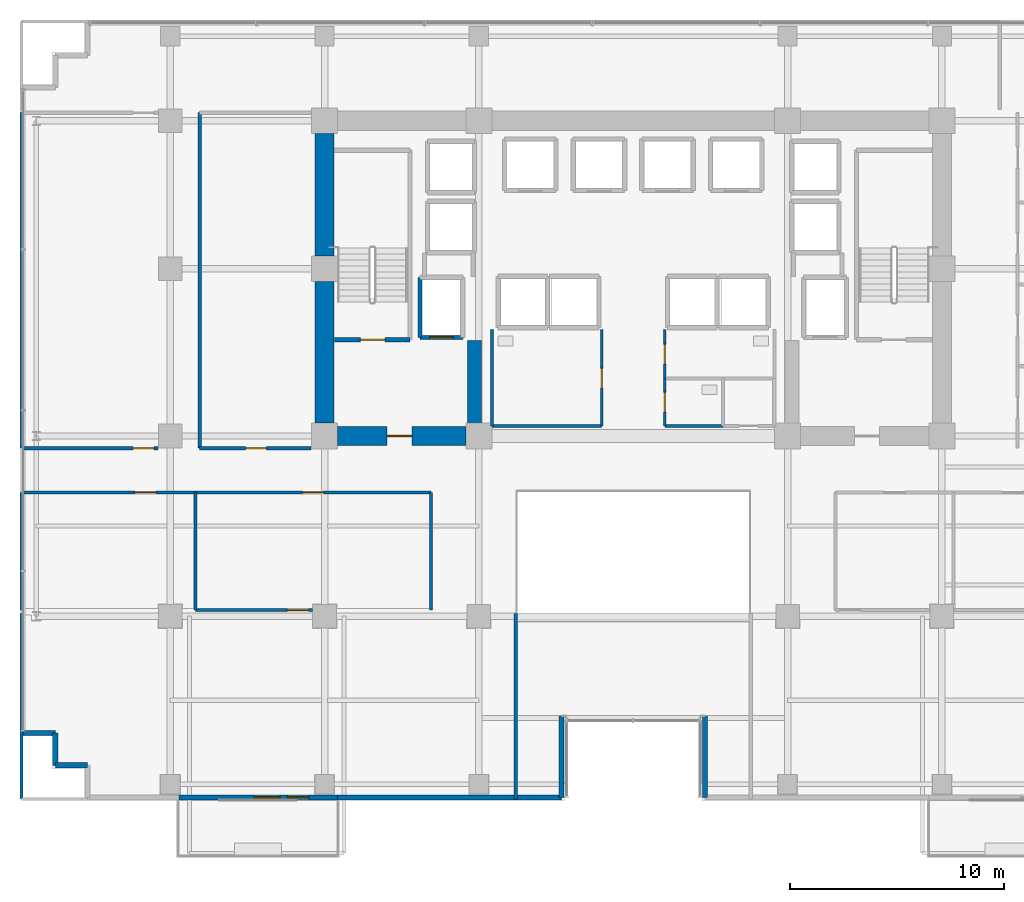
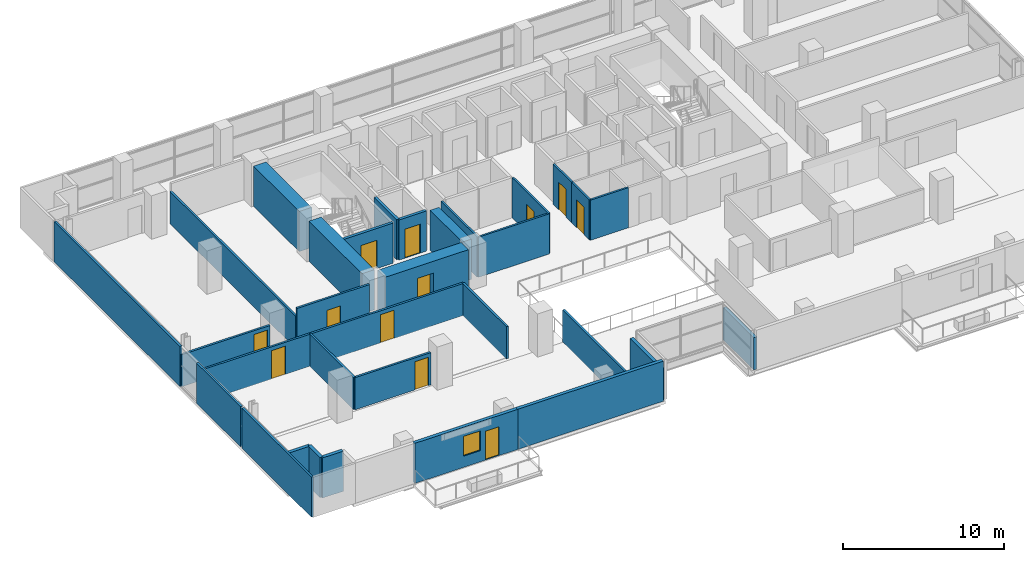
# One storey, part 19 of 27: 32 walls, 12 doors, 1 window, 13 openings.
"""IFC4 building model written with IfcOpenShell, lengths in metres."""

from ifc_helpers import new_model, si_unit, direction, frame, frame_2d, origin, place, context, subcontext, project, spatial, rectangle, extrude, source, transform, mapped, material, layer, layer_set, type_object, element, fill, save


model = new_model("IFC4")

# Units and contexts
model_context = context("Model", 3, precision=1e-05, world=origin(), true_north=direction((0.0, 1.0)))
body_context = subcontext(model_context, "Body", "Model", "MODEL_VIEW")
ifc_project = project(units=[si_unit("LENGTHUNIT", "METRE"), si_unit("AREAUNIT", "SQUARE_METRE"), si_unit("VOLUMEUNIT", "CUBIC_METRE"), si_unit("PLANEANGLEUNIT", "RADIAN"), si_unit("MASSUNIT", "GRAM", prefix="KILO")], contexts=[model_context])

# Site, building, storey
site_placement = place(None, origin())
site = spatial("IfcSite", under=ifc_project, at=site_placement, CompositionType="ELEMENT")
building_placement = place(site_placement, origin())
building = spatial("IfcBuilding", under=site, at=building_placement, Name="Zarnakvel Exchange Tower", CompositionType="ELEMENT")
storey_placement = place(building_placement, frame((0.0, 0.0, 76.89990234375)))
storey = spatial("IfcBuildingStorey", under=building, at=storey_placement, Name="L21", CompositionType="ELEMENT", Elevation=76.89990234375)

# Walls
ifc_material_1 = material(Name="Concrete C80/95", Category="concrete")
ifc_layer_1 = layer(ifc_material_1, 0.89990234375)
ifc_layer_set_1 = layer_set([ifc_layer_1], Name="Concrete C80/95")
wall_type_1 = type_object("IfcWallType", Name="CW-C1", PredefinedType="SHEAR", material=ifc_layer_set_1)
wall_1_placement = place(storey_placement, frame((-14.39990234375, -0.60009765625, 0.0), z_axis=(0.0, 0.0, 1.0), x_axis=(0.0, 1.0, 0.0)))
element("IfcWall", 1, at=wall_1_placement, inside=storey, type_object=wall_type_1, Name="L21 Rear Core Shear Wall W1 (CW-C1)", PredefinedType="SHEAR", context=body_context, shape_type="SweptSolid", body=[
    extrude(rectangle(XDim=6.60009765625, YDim=0.89990234375, at=frame_2d((3.300048828125, 0.0))), origin(), (0.0, 0.0, 1.0), 3.050048828125),
])
wall_2_placement = place(storey_placement, frame((-14.39990234375, 7.199951171875, 0.0), z_axis=(0.0, 0.0, 1.0), x_axis=(0.0, 1.0, 0.0)))
element("IfcWall", 2, at=wall_2_placement, inside=storey, type_object=wall_type_1, Name="L21 Rear Core Shear Wall W2 (CW-C1)", PredefinedType="SHEAR", context=body_context, shape_type="SweptSolid", body=[
    extrude(rectangle(XDim=5.699951171875, YDim=0.89990234375, at=frame_2d((2.85009765625, 0.0))), origin(), (0.0, 0.0, 1.0), 3.050048828125),
])

# Wall, opening, door
wall_3_placement = place(storey_placement, frame((-7.800048828125, -1.199951171875, 0.0), z_axis=(0.0, 0.0, 1.0), x_axis=(-1.0, 0.0, 0.0)))
wall_3 = element("IfcWall", 3, at=wall_3_placement, inside=storey, type_object=wall_type_1, Name="L21 Rear Core Shear Wall SW (CW-C1)", PredefinedType="SHEAR", context=body_context, shape_type="SweptSolid", body=[
    extrude(rectangle(XDim=6.0, YDim=0.89990234375, at=frame_2d((3.0, 0.0))), origin(), (0.0, 0.0, 1.0), 3.050048828125),
])
opening_1_placement = place(wall_3_placement, frame((2.52490234375, 0.0, 0.0)))
opening_1 = element("IfcOpeningElement", 4, at=opening_1_placement, cuts=wall_3, Name="Opening D-L21-03", PredefinedType="OPENING", context=body_context, shape_type="SweptSolid", body=[
    extrude(rectangle(XDim=1.14990234375, YDim=2.14990234375, at=frame_2d((0.574951171875, 1.074951171875))), frame((0.0, 0.4599609375, 0.0), z_axis=(0.0, -1.0, 0.0), x_axis=(1.0, 0.0, 0.0)), (0.0, 0.0, 1.0), 0.919921875),
])
ifc_material_2 = material(Name="Painted Galvanised Steel S355", Category="steel")
door_type_1 = type_object("IfcDoorType", Name="DT-04", OperationType="NOTDEFINED", PredefinedType="DOOR", material=ifc_material_2)
shared_shape_1 = source(origin(), body_context, "Body", "SweptSolid", [
    extrude(rectangle(XDim=1.14990234375, YDim=2.14990234375, at=frame_2d((0.574951171875, 1.074951171875))), frame((0.0, 0.02490234375, 0.0), z_axis=(0.0, -1.0, 0.0), x_axis=(1.0, 0.0, 0.0)), (0.0, 0.0, 1.0), 0.050048828125),
])
door_1_placement = place(opening_1_placement, origin())
door_1 = element("IfcDoor", 5, at=door_1_placement, inside=storey, type_object=door_type_1, Name="L21 Firefighting Lobby West Door D-L21-03", OperationType="SINGLE_SWING_RIGHT", OverallHeight=2.14990234375, OverallWidth=1.14990234375, PredefinedType="DOOR", context=body_context, shape_type="MappedRepresentation", body=[
    mapped(shared_shape_1, transform((0.0, 0.0, 0.0), x_axis=(1.0, 0.0, 0.0), y_axis=(0.0, 1.0, 0.0), z_axis=(0.0, 0.0, 1.0), scale=1.0)),
])
fill(opening_1, door_1)

# Wall
ifc_layer_2 = layer(ifc_material_1, 0.64990234375)
ifc_layer_set_2 = layer_set([ifc_layer_2], Name="Concrete C80/95")
wall_type_2 = type_object("IfcWallType", Name="CW-C2", PredefinedType="SHEAR", material=ifc_layer_set_2)
wall_4_placement = place(storey_placement, frame((-7.39990234375, -0.75, 0.0), z_axis=(0.0, 0.0, 1.0), x_axis=(0.0, 1.0, 0.0)))
element("IfcWall", 6, at=wall_4_placement, inside=storey, type_object=wall_type_2, Name="L21 Rear Core Shear Wall IW (CW-C2)", PredefinedType="SHEAR", context=body_context, shape_type="SweptSolid", body=[
    extrude(rectangle(XDim=4.0, YDim=0.64990234375, at=frame_2d((2.0, 0.0))), origin(), (0.0, 0.0, 1.0), 3.050048828125),
])

# Wall, openings, door, window
ifc_material_3 = material(Name="Precast concrete C40/50", Category="concrete")
ifc_layer_3 = layer(ifc_material_3, 0.239990234375)
ifc_layer_set_3 = layer_set([ifc_layer_3], Name="Precast concrete C40/50")
wall_type_3 = type_object("IfcWallType", Name="EW-02", PredefinedType="SOLIDWALL", material=ifc_layer_set_3)
wall_5_placement = place(storey_placement, frame((-13.800048828125, -18.06005859375, 0.0), z_axis=(0.0, 0.0, 1.0), x_axis=(-1.0, 0.0, 0.0)))
wall_5 = element("IfcWall", 7, at=wall_5_placement, inside=storey, type_object=wall_type_3, Name="L21 Exterior Precast Spandrel Wall EW-BAL-L21-SW (EW-02)", PredefinedType="SOLIDWALL", context=body_context, shape_type="SweptSolid", body=[
    extrude(rectangle(XDim=7.39990234375, YDim=0.239990234375, at=frame_2d((3.699951171875, 0.0))), origin(), (0.0, 0.0, 1.0), 3.050048828125),
])
opening_2_placement = place(wall_5_placement, frame((1.33203125, 0.0, 0.0)))
opening_2 = element("IfcOpeningElement", 8, at=opening_2_placement, cuts=wall_5, Name="Opening BD-L21-01", PredefinedType="OPENING", context=body_context, shape_type="SweptSolid", body=[
    extrude(rectangle(XDim=1.0, YDim=2.199951171875, at=frame_2d((0.5, 1.10009765625))), frame((0.0, 0.1298828125, 0.0), z_axis=(0.0, -1.0, 0.0), x_axis=(1.0, 0.0, 0.0)), (0.0, 0.0, 1.0), 0.260009765625),
])
opening_3_placement = place(wall_5_placement, frame((2.681884765625, 0.0, 0.85009765625)))
opening_3 = element("IfcOpeningElement", 9, at=opening_3_placement, cuts=wall_5, Name="Opening WN-04", PredefinedType="OPENING", context=body_context, shape_type="SweptSolid", body=[
    extrude(rectangle(XDim=1.199951171875, YDim=1.5, at=frame_2d((0.60009765625, 0.75))), frame((0.0, 0.1298828125, 0.0), z_axis=(0.0, -1.0, 0.0), x_axis=(1.0, 0.0, 0.0)), (0.0, 0.0, 1.0), 0.260009765625),
])
ifc_material_4 = material(Name="Architectural Bronze Anodised Aluminium", Category="aluminium")
door_type_2 = type_object("IfcDoorType", Name="DT-09", OperationType="NOTDEFINED", PredefinedType="DOOR", material=ifc_material_4)
shared_shape_2 = source(origin(), body_context, "Body", "SweptSolid", [
    extrude(rectangle(XDim=1.0, YDim=2.199951171875, at=frame_2d((0.5, 1.10009765625))), frame((0.0, 0.02490234375, 0.0), z_axis=(0.0, -1.0, 0.0), x_axis=(1.0, 0.0, 0.0)), (0.0, 0.0, 1.0), 0.050048828125),
])
door_2_placement = place(opening_2_placement, origin())
door_2 = element("IfcDoor", 10, at=door_2_placement, inside=storey, type_object=door_type_2, Name="L21 Planted Loggia Balcony Door BD-L21-01", OperationType="SINGLE_SWING_LEFT", OverallHeight=2.199951171875, OverallWidth=1.0, PredefinedType="DOOR", context=body_context, shape_type="MappedRepresentation", body=[
    mapped(shared_shape_2, transform((0.0, 0.0, 0.0), x_axis=(1.0, 0.0, 0.0), y_axis=(0.0, 1.0, 0.0), z_axis=(0.0, 0.0, 1.0), scale=1.0)),
])
fill(opening_2, door_2)
ifc_material_5 = material(Name="Double Low-E Laminated Vision Glass", Category="glass")
window_type = type_object("IfcWindowType", Name="WN-04", PartitioningType="SINGLE_PANEL", PredefinedType="WINDOW", material=ifc_material_5)
shared_shape_3 = source(origin(), body_context, "Body", "SweptSolid", [
    extrude(rectangle(XDim=1.199951171875, YDim=1.5, at=frame_2d((0.60009765625, 0.75))), frame((0.0, 0.030029296875, 0.0), z_axis=(0.0, -1.0, 0.0), x_axis=(1.0, 0.0, 0.0)), (0.0, 0.0, 1.0), 0.06005859375),
])
window_placement = place(opening_3_placement, origin())
window = element("IfcWindow", 11, at=window_placement, inside=storey, type_object=window_type, Name="L21 Loggia Daylight Window (WN-04)", OverallHeight=1.5, OverallWidth=1.199951171875, PartitioningType="SINGLE_PANEL", PredefinedType="WINDOW", context=body_context, shape_type="MappedRepresentation", body=[
    mapped(shared_shape_3, transform((0.0, 0.0, 0.0), x_axis=(1.0, 0.0, 0.0), y_axis=(0.0, 1.0, 0.0), z_axis=(0.0, 0.0, 1.0), scale=1.0)),
])
fill(opening_3, window)

# Walls
for number, where, z_axis, x_axis, name in (
    (12, (3.340087890625, -14.260009765625, 0.0), (0.0, 0.0, 1.0), (0.0, -1.0, 0.0), "L21 Exterior Precast Spandrel Wall EWC-L21-17 (EW-02)"),
    (13, (-3.340087890625, -18.06005859375, 0.0), (0.0, 0.0, 1.0), (0.0, 1.0, 0.0), "L21 Exterior Precast Spandrel Wall EWC-L21-20 (EW-02)"),
):
    element("IfcWall", number, at=place(storey_placement, frame(where, z_axis=z_axis, x_axis=x_axis)), inside=storey, type_object=wall_type_3, Name=name, PredefinedType="SOLIDWALL", context=body_context, shape_type="SweptSolid", body=[
        extrude(rectangle(XDim=3.800048828125, YDim=0.239990234375, at=frame_2d((1.89990234375, 0.0))), origin(), (0.0, 0.0, 1.0), 2.440185546875),
    ])
wall_6_placement = place(storey_placement, frame((-13.800048828125, -18.06005859375, 0.0), z_axis=(0.0, 0.0, 1.0), x_axis=(1.0, 0.0, 0.0)))
element("IfcWall", 14, at=wall_6_placement, inside=storey, type_object=wall_type_3, Name="L21 Exterior Precast Spandrel Wall EWC-L21-21 (EW-02)", PredefinedType="SOLIDWALL", context=body_context, shape_type="SweptSolid", body=[
    extrude(rectangle(XDim=10.4599609375, YDim=0.239990234375, at=frame_2d((5.22998046875, 0.0))), origin(), (0.0, 0.0, 1.0), 3.050048828125),
])
for number, where, z_axis, x_axis, name in (
    (15, (-26.9599609375, -16.56005859375, 0.0), (0.0, 0.0, 1.0), (1.0, 0.0, 0.0), "L21 Exterior Precast Spandrel Wall EWC-L21-24 (EW-02)"),
    (16, (-26.9599609375, -15.06005859375, 0.0), (0.0, 0.0, 1.0), (0.0, -1.0, 0.0), "L21 Exterior Precast Spandrel Wall EWC-L21-25 (EW-02)"),
    (17, (-28.4599609375, -15.06005859375, 0.0), (0.0, 0.0, 1.0), (1.0, 0.0, 0.0), "L21 Exterior Precast Spandrel Wall EWC-L21-26 (EW-02)"),
):
    element("IfcWall", number, at=place(storey_placement, frame(where, z_axis=z_axis, x_axis=x_axis)), inside=storey, type_object=wall_type_3, Name=name, PredefinedType="SOLIDWALL", context=body_context, shape_type="SweptSolid", body=[
        extrude(rectangle(XDim=1.5, YDim=0.239990234375, at=frame_2d((0.75, 0.0))), origin(), (0.0, 0.0, 1.0), 3.050048828125),
    ])

# Wall, opening, door
ifc_material_6 = material(Name="Fire-Rated Gypsum Stud Partition", Category="gypsum")
ifc_layer_4 = layer(ifc_material_6, 0.14990234375)
ifc_layer_set_4 = layer_set([ifc_layer_4], Name="Fire-Rated Gypsum Stud Partition")
wall_type_4 = type_object("IfcWallType", Name="PT-01", PredefinedType="PARTITIONING", material=ifc_layer_set_4)
wall_7_placement = place(storey_placement, frame((-28.530029296875, -3.830078125, 0.0), z_axis=(0.0, 0.0, 1.0), x_axis=(1.0, 0.0, 0.0)))
wall_7 = element("IfcWall", 18, at=wall_7_placement, inside=storey, type_object=wall_type_4, Name="L21 Partition Wall PWALL-L21-022 (PT-01)", PredefinedType="PARTITIONING", context=body_context, shape_type="SweptSolid", body=[
    extrude(rectangle(XDim=8.10546875, YDim=0.14990234375, at=frame_2d((4.052734375, 0.0))), origin(), (0.0, 0.0, 1.0), 2.440185546875),
])
opening_4_placement = place(wall_7_placement, frame((5.2880859375, 0.0, 0.0)))
opening_4 = element("IfcOpeningElement", 19, at=opening_4_placement, cuts=wall_7, Name="Opening D-L21-09", PredefinedType="OPENING", context=body_context, shape_type="SweptSolid", body=[
    extrude(rectangle(XDim=0.97998046875, YDim=2.14990234375, at=frame_2d((0.489990234375, 1.074951171875))), frame((0.0, 0.0849609375, 0.0), z_axis=(0.0, -1.0, 0.0), x_axis=(1.0, 0.0, 0.0)), (0.0, 0.0, 1.0), 0.169921875),
])
ifc_material_7 = material(Name="Timber Acoustic Veneer", Category="wood")
door_type_3 = type_object("IfcDoorType", Name="DT-05", OperationType="NOTDEFINED", PredefinedType="DOOR", material=ifc_material_7)
shared_shape_4 = source(origin(), body_context, "Body", "SweptSolid", [
    extrude(rectangle(XDim=0.97998046875, YDim=2.14990234375, at=frame_2d((0.489990234375, 1.074951171875))), frame((0.0, 0.02490234375, 0.0), z_axis=(0.0, -1.0, 0.0), x_axis=(1.0, 0.0, 0.0)), (0.0, 0.0, 1.0), 0.050048828125),
])
door_3_placement = place(opening_4_placement, origin())
door_3 = element("IfcDoor", 20, at=door_3_placement, inside=storey, type_object=door_type_3, Name="L21 Sovereign Wealth Office Door D-L21-09", OperationType="SINGLE_SWING_RIGHT", OverallHeight=2.14990234375, OverallWidth=0.97998046875, PredefinedType="DOOR", context=body_context, shape_type="MappedRepresentation", body=[
    mapped(shared_shape_4, transform((0.0, 0.0, 0.0), x_axis=(1.0, 0.0, 0.0), y_axis=(0.0, 1.0, 0.0), z_axis=(0.0, 0.0, 1.0), scale=1.0)),
])
fill(opening_4, door_3)

# Walls
wall_8_placement = place(storey_placement, frame((-28.530029296875, -9.320068359375, 0.0), z_axis=(0.0, 0.0, 1.0), x_axis=(0.0, 1.0, 0.0)))
element("IfcWall", 21, at=wall_8_placement, inside=storey, type_object=wall_type_4, Name="L21 Partition Wall PWALL-L21-023 (PT-01)", PredefinedType="PARTITIONING", context=body_context, shape_type="SweptSolid", body=[
    extrude(rectangle(XDim=5.489990234375, YDim=0.14990234375, at=frame_2d((2.7451171875, 0.0))), origin(), (0.0, 0.0, 1.0), 3.050048828125),
])
wall_9_placement = place(storey_placement, frame((-20.424560546875, -3.830078125, 0.0), z_axis=(0.0, 0.0, 1.0), x_axis=(0.0, -1.0, 0.0)))
element("IfcWall", 22, at=wall_9_placement, inside=storey, type_object=wall_type_4, Name="L21 Partition Wall PWALL-L21-024 (PT-01)", PredefinedType="PARTITIONING", context=body_context, shape_type="SweptSolid", body=[
    extrude(rectangle(XDim=5.489990234375, YDim=0.14990234375, at=frame_2d((2.7451171875, 0.0))), origin(), (0.0, 0.0, 1.0), 2.440185546875),
])

# Wall, opening, door
wall_10_placement = place(storey_placement, frame((-14.969970703125, -9.320068359375, 0.0), z_axis=(0.0, 0.0, 1.0), x_axis=(-1.0, 0.0, 0.0)))
wall_10 = element("IfcWall", 23, at=wall_10_placement, inside=storey, type_object=wall_type_4, Name="L21 Partition Wall PWALL-L21-025 (PT-01)", PredefinedType="PARTITIONING", context=body_context, shape_type="SweptSolid", body=[
    extrude(rectangle(XDim=5.45458984375, YDim=0.14990234375, at=frame_2d((2.727294921875, 0.0))), origin(), (0.0, 0.0, 1.0), 2.440185546875),
])
opening_5_placement = place(wall_10_placement, frame((0.179931640625, 0.0, 0.0)))
opening_5 = element("IfcOpeningElement", 24, at=opening_5_placement, cuts=wall_10, Name="Opening D-L21-11", PredefinedType="OPENING", context=body_context, shape_type="SweptSolid", body=[
    extrude(rectangle(XDim=0.97998046875, YDim=2.14990234375, at=frame_2d((0.489990234375, 1.074951171875))), frame((0.0, 0.0849609375, 0.0), z_axis=(0.0, -1.0, 0.0), x_axis=(1.0, 0.0, 0.0)), (0.0, 0.0, 1.0), 0.169921875),
])
door_4_placement = place(opening_5_placement, origin())
door_4 = element("IfcDoor", 25, at=door_4_placement, inside=storey, type_object=door_type_3, Name="L21 Sovereign Wealth Office Door D-L21-11", OperationType="SINGLE_SWING_RIGHT", OverallHeight=2.14990234375, OverallWidth=0.97998046875, PredefinedType="DOOR", context=body_context, shape_type="MappedRepresentation", body=[
    mapped(shared_shape_4, transform((0.0, 0.0, 0.0), x_axis=(1.0, 0.0, 0.0), y_axis=(0.0, 1.0, 0.0), z_axis=(0.0, 0.0, 1.0), scale=1.0)),
])
fill(opening_5, door_4)

wall_11_placement = place(storey_placement, frame((-20.424560546875, -3.830078125, 0.0), z_axis=(0.0, 0.0, 1.0), x_axis=(1.0, 0.0, 0.0)))
wall_11 = element("IfcWall", 26, at=wall_11_placement, inside=storey, type_object=wall_type_4, Name="L21 Partition Wall PWALL-L21-026 (PT-01)", PredefinedType="PARTITIONING", context=body_context, shape_type="SweptSolid", body=[
    extrude(rectangle(XDim=10.99462890625, YDim=0.14990234375, at=frame_2d((5.497314453125, 0.0))), origin(), (0.0, 0.0, 1.0), 2.440185546875),
])
opening_6_placement = place(wall_11_placement, frame((5.007568359375, 0.0, 0.0)))
opening_6 = element("IfcOpeningElement", 27, at=opening_6_placement, cuts=wall_11, Name="Opening D-L21-10", PredefinedType="OPENING", context=body_context, shape_type="SweptSolid", body=[
    extrude(rectangle(XDim=0.97998046875, YDim=2.14990234375, at=frame_2d((0.489990234375, 1.074951171875))), frame((0.0, 0.0849609375, 0.0), z_axis=(0.0, -1.0, 0.0), x_axis=(1.0, 0.0, 0.0)), (0.0, 0.0, 1.0), 0.169921875),
])
door_5_placement = place(opening_6_placement, origin())
door_5 = element("IfcDoor", 28, at=door_5_placement, inside=storey, type_object=door_type_3, Name="L21 Corporate Advisory Suite Door D-L21-10", OperationType="SINGLE_SWING_LEFT", OverallHeight=2.14990234375, OverallWidth=0.97998046875, PredefinedType="DOOR", context=body_context, shape_type="MappedRepresentation", body=[
    mapped(shared_shape_4, transform((0.0, 0.0, 0.0), x_axis=(1.0, 0.0, 0.0), y_axis=(0.0, 1.0, 0.0), z_axis=(0.0, 0.0, 1.0), scale=1.0)),
])
fill(opening_6, door_5)

# Walls
wall_12_placement = place(storey_placement, frame((-9.429931640625, -3.830078125, 0.0), z_axis=(0.0, 0.0, 1.0), x_axis=(0.0, -1.0, 0.0)))
element("IfcWall", 29, at=wall_12_placement, inside=storey, type_object=wall_type_4, Name="L21 Partition Wall PWALL-L21-027 (PT-01)", PredefinedType="PARTITIONING", context=body_context, shape_type="SweptSolid", body=[
    extrude(rectangle(XDim=5.489990234375, YDim=0.14990234375, at=frame_2d((2.7451171875, 0.0))), origin(), (0.0, 0.0, 1.0), 2.440185546875),
])
wall_13_placement = place(storey_placement, frame((-28.530029296875, -18.1298828125, 0.0), z_axis=(0.0, 0.0, 1.0), x_axis=(0.0, 1.0, 0.0)))
element("IfcWall", 30, at=wall_13_placement, inside=storey, type_object=wall_type_4, Name="L21 Partition Wall PWALL-L21-029 (PT-01)", PredefinedType="PARTITIONING", context=body_context, shape_type="SweptSolid", body=[
    extrude(rectangle(XDim=8.64990234375, YDim=0.14990234375, at=frame_2d((4.324951171875, 0.0))), origin(), (0.0, 0.0, 1.0), 3.050048828125),
])
wall_14_placement = place(storey_placement, frame((-5.47998046875, -9.47998046875, 0.0), z_axis=(0.0, 0.0, 1.0), x_axis=(0.0, -1.0, 0.0)))
element("IfcWall", 31, at=wall_14_placement, inside=storey, type_object=wall_type_4, Name="L21 Partition Wall PWALL-L21-030 (PT-01)", PredefinedType="PARTITIONING", context=body_context, shape_type="SweptSolid", body=[
    extrude(rectangle(XDim=8.64990234375, YDim=0.14990234375, at=frame_2d((4.324951171875, 0.0))), origin(), (0.0, 0.0, 1.0), 2.440185546875),
])

# Wall, opening, door
wall_15_placement = place(storey_placement, frame((-22.169921875, -1.77001953125, 0.0), z_axis=(0.0, 0.0, 1.0), x_axis=(-1.0, 0.0, 0.0)))
wall_15 = element("IfcWall", 32, at=wall_15_placement, inside=storey, type_object=wall_type_4, Name="L21 Partition Wall PWALL-L21-042 (PT-01)", PredefinedType="PARTITIONING", context=body_context, shape_type="SweptSolid", body=[
    extrude(rectangle(XDim=6.360107421875, YDim=0.14990234375, at=frame_2d((3.18017578125, 0.0))), origin(), (0.0, 0.0, 1.0), 2.440185546875),
])
opening_7_placement = place(wall_15_placement, frame((0.179931640625, 0.0, 0.0)))
opening_7 = element("IfcOpeningElement", 33, at=opening_7_placement, cuts=wall_15, Name="Opening D-L21-16", PredefinedType="OPENING", context=body_context, shape_type="SweptSolid", body=[
    extrude(rectangle(XDim=0.97998046875, YDim=2.14990234375, at=frame_2d((0.489990234375, 1.074951171875))), frame((0.0, 0.0849609375, 0.0), z_axis=(0.0, -1.0, 0.0), x_axis=(1.0, 0.0, 0.0)), (0.0, 0.0, 1.0), 0.169921875),
])
door_6_placement = place(opening_7_placement, origin())
door_6 = element("IfcDoor", 34, at=door_6_placement, inside=storey, type_object=door_type_3, Name="L21 Conference Room Door D-L21-16", OperationType="SINGLE_SWING_LEFT", OverallHeight=2.14990234375, OverallWidth=0.97998046875, PredefinedType="DOOR", context=body_context, shape_type="MappedRepresentation", body=[
    mapped(shared_shape_4, transform((0.0, 0.0, 0.0), x_axis=(1.0, 0.0, 0.0), y_axis=(0.0, 1.0, 0.0), z_axis=(0.0, 0.0, 1.0), scale=1.0)),
])
fill(opening_7, door_6)

# Walls
wall_16_placement = place(storey_placement, frame((-28.530029296875, -1.77001953125, 0.0), z_axis=(0.0, 0.0, 1.0), x_axis=(0.0, 1.0, 0.0)))
element("IfcWall", 35, at=wall_16_placement, inside=storey, type_object=wall_type_4, Name="L21 Partition Wall PWALL-L21-044 (PT-01)", PredefinedType="PARTITIONING", context=body_context, shape_type="SweptSolid", body=[
    extrude(rectangle(XDim=15.64990234375, YDim=0.14990234375, at=frame_2d((7.824951171875, 0.0))), origin(), (0.0, 0.0, 1.0), 3.050048828125),
])
wall_17_placement = place(storey_placement, frame((-20.222412109375, 13.8798828125, 0.0), z_axis=(0.0, 0.0, 1.0), x_axis=(0.0, -1.0, 0.0)))
element("IfcWall", 36, at=wall_17_placement, inside=storey, type_object=wall_type_4, Name="L21 Partition Wall PWALL-L21-045 (PT-01)", PredefinedType="PARTITIONING", context=body_context, shape_type="SweptSolid", body=[
    extrude(rectangle(XDim=15.64990234375, YDim=0.14990234375, at=frame_2d((7.824951171875, 0.0))), origin(), (0.0, 0.0, 1.0), 2.440185546875),
])

# Wall, opening, door
wall_18_placement = place(storey_placement, frame((-15.02001953125, -1.77001953125, 0.0), z_axis=(0.0, 0.0, 1.0), x_axis=(-1.0, 0.0, 0.0)))
wall_18 = element("IfcWall", 37, at=wall_18_placement, inside=storey, type_object=wall_type_4, Name="L21 Partition Wall PWALL-L21-046 (PT-01)", PredefinedType="PARTITIONING", context=body_context, shape_type="SweptSolid", body=[
    extrude(rectangle(XDim=5.202392578125, YDim=0.14990234375, at=frame_2d((2.60107421875, 0.0))), origin(), (0.0, 0.0, 1.0), 3.050048828125),
])
opening_8_placement = place(wall_18_placement, frame((2.0859375, 0.0, 0.0)))
opening_8 = element("IfcOpeningElement", 38, at=opening_8_placement, cuts=wall_18, Name="Opening D-L21-17", PredefinedType="OPENING", context=body_context, shape_type="SweptSolid", body=[
    extrude(rectangle(XDim=0.97998046875, YDim=2.14990234375, at=frame_2d((0.489990234375, 1.074951171875))), frame((0.0, 0.0849609375, 0.0), z_axis=(0.0, -1.0, 0.0), x_axis=(1.0, 0.0, 0.0)), (0.0, 0.0, 1.0), 0.169921875),
])
door_7_placement = place(opening_8_placement, origin())
door_7 = element("IfcDoor", 39, at=door_7_placement, inside=storey, type_object=door_type_3, Name="L21 Executive Pantry Door D-L21-17", OperationType="SINGLE_SWING_RIGHT", OverallHeight=2.14990234375, OverallWidth=0.97998046875, PredefinedType="DOOR", context=body_context, shape_type="MappedRepresentation", body=[
    mapped(shared_shape_4, transform((0.0, 0.0, 0.0), x_axis=(1.0, 0.0, 0.0), y_axis=(0.0, 1.0, 0.0), z_axis=(0.0, 0.0, 1.0), scale=1.0)),
])
fill(opening_8, door_7)

# Walls
ifc_material_8 = material(Name="Moisture-Resistant Tile-Faced Partition", Category="gypsum")
ifc_layer_5 = layer(ifc_material_8, 0.135009765625)
ifc_layer_set_5 = layer_set([ifc_layer_5], Name="Moisture-Resistant Tile-Faced Partition")
wall_type_5 = type_object("IfcWallType", Name="PT-03", PredefinedType="PARTITIONING", material=ifc_layer_set_5)
wall_19_placement = place(storey_placement, frame((-1.469970703125, -0.72998046875, 0.0), z_axis=(0.0, 0.0, 1.0), x_axis=(-1.0, 0.0, 0.0)))
element("IfcWall", 40, at=wall_19_placement, inside=storey, type_object=wall_type_5, Name="L21 Partition Wall PWALL-L21-011 (PT-03)", PredefinedType="PARTITIONING", context=body_context, shape_type="SweptSolid", body=[
    extrude(rectangle(XDim=5.110107421875, YDim=0.135009765625, at=frame_2d((2.55517578125, 0.0))), origin(), (0.0, 0.0, 1.0), 3.050048828125),
])
wall_20_placement = place(storey_placement, frame((-6.580078125, -0.72998046875, 0.0), z_axis=(0.0, 0.0, 1.0), x_axis=(0.0, 1.0, 0.0)))
element("IfcWall", 41, at=wall_20_placement, inside=storey, type_object=wall_type_5, Name="L21 Partition Wall PWALL-L21-012 (PT-03)", PredefinedType="PARTITIONING", context=body_context, shape_type="SweptSolid", body=[
    extrude(rectangle(XDim=4.489990234375, YDim=0.135009765625, at=frame_2d((2.2451171875, 0.0))), origin(), (0.0, 0.0, 1.0), 3.050048828125),
])

# Wall, opening, door
wall_21_placement = place(storey_placement, frame((-1.469970703125, 3.760009765625, 0.0), z_axis=(0.0, 0.0, 1.0), x_axis=(0.0, -1.0, 0.0)))
wall_21 = element("IfcWall", 42, at=wall_21_placement, inside=storey, type_object=wall_type_5, Name="L21 Partition Wall PWALL-L21-013 (PT-03)", PredefinedType="PARTITIONING", context=body_context, shape_type="SweptSolid", body=[
    extrude(rectangle(XDim=4.489990234375, YDim=0.135009765625, at=frame_2d((2.2451171875, 0.0))), origin(), (0.0, 0.0, 1.0), 3.050048828125),
])
opening_9_placement = place(wall_21_placement, frame((1.800048828125, 0.0, 0.0)))
opening_9 = element("IfcOpeningElement", 43, at=opening_9_placement, cuts=wall_21, Name="Opening D-L21-05", PredefinedType="OPENING", context=body_context, shape_type="SweptSolid", body=[
    extrude(rectangle(XDim=0.919921875, YDim=2.10009765625, at=frame_2d((0.4599609375, 1.050048828125))), frame((0.0, 0.077392578125, 0.0), z_axis=(0.0, -1.0, 0.0), x_axis=(1.0, 0.0, 0.0)), (0.0, 0.0, 1.0), 0.155029296875),
])
ifc_material_9 = material(Name="Moisture-Resistant Laminate Timber", Category="wood")
door_type_4 = type_object("IfcDoorType", Name="DT-07", OperationType="NOTDEFINED", PredefinedType="DOOR", material=ifc_material_9)
shared_shape_5 = source(origin(), body_context, "Body", "SweptSolid", [
    extrude(rectangle(XDim=0.919921875, YDim=2.10009765625, at=frame_2d((0.4599609375, 1.050048828125))), frame((0.0, 0.02490234375, 0.0), z_axis=(0.0, -1.0, 0.0), x_axis=(1.0, 0.0, 0.0)), (0.0, 0.0, 1.0), 0.050048828125),
])
door_8_placement = place(opening_9_placement, origin())
door_8 = element("IfcDoor", 44, at=door_8_placement, inside=storey, type_object=door_type_4, Name="L21 Male Toilet Door D-L21-05", OperationType="SINGLE_SWING_RIGHT", OverallHeight=2.10009765625, OverallWidth=0.919921875, PredefinedType="DOOR", context=body_context, shape_type="MappedRepresentation", body=[
    mapped(shared_shape_5, transform((0.0, 0.0, 0.0), x_axis=(1.0, 0.0, 0.0), y_axis=(0.0, 1.0, 0.0), z_axis=(0.0, 0.0, 1.0), scale=1.0)),
])
fill(opening_9, door_8)

wall_22_placement = place(storey_placement, frame((1.469970703125, 1.47998046875, 0.0), z_axis=(0.0, 0.0, 1.0), x_axis=(0.0, 1.0, 0.0)))
wall_22 = element("IfcWall", 45, at=wall_22_placement, inside=storey, type_object=wall_type_5, Name="L21 Partition Wall PWALL-L21-015 (PT-03)", PredefinedType="PARTITIONING", context=body_context, shape_type="SweptSolid", body=[
    extrude(rectangle(XDim=2.280029296875, YDim=0.135009765625, at=frame_2d((1.14013671875, 0.0))), origin(), (0.0, 0.0, 1.0), 3.050048828125),
])
opening_10_placement = place(wall_22_placement, frame((0.679931640625, 0.0, 0.0)))
opening_10 = element("IfcOpeningElement", 46, at=opening_10_placement, cuts=wall_22, Name="Opening D-L21-06", PredefinedType="OPENING", context=body_context, shape_type="SweptSolid", body=[
    extrude(rectangle(XDim=0.919921875, YDim=2.10009765625, at=frame_2d((0.4599609375, 1.050048828125))), frame((0.0, 0.077392578125, 0.0), z_axis=(0.0, -1.0, 0.0), x_axis=(1.0, 0.0, 0.0)), (0.0, 0.0, 1.0), 0.155029296875),
])
door_9_placement = place(opening_10_placement, origin())
door_9 = element("IfcDoor", 47, at=door_9_placement, inside=storey, type_object=door_type_4, Name="L21 Female Toilet Door D-L21-06", OperationType="SINGLE_SWING_LEFT", OverallHeight=2.10009765625, OverallWidth=0.919921875, PredefinedType="DOOR", context=body_context, shape_type="MappedRepresentation", body=[
    mapped(shared_shape_5, transform((0.0, 0.0, 0.0), x_axis=(1.0, 0.0, 0.0), y_axis=(0.0, 1.0, 0.0), z_axis=(0.0, 0.0, 1.0), scale=1.0)),
])
fill(opening_10, door_9)

# Wall
wall_23_placement = place(storey_placement, frame((4.179931640625, -0.72998046875, 0.0), z_axis=(0.0, 0.0, 1.0), x_axis=(-1.0, 0.0, 0.0)))
element("IfcWall", 48, at=wall_23_placement, inside=storey, type_object=wall_type_5, Name="L21 Partition Wall PWALL-L21-017 (PT-03)", PredefinedType="PARTITIONING", context=body_context, shape_type="SweptSolid", body=[
    extrude(rectangle(XDim=2.7099609375, YDim=0.135009765625, at=frame_2d((1.35498046875, 0.0))), origin(), (0.0, 0.0, 1.0), 3.050048828125),
])

# Wall, opening, door
wall_24_placement = place(storey_placement, frame((1.469970703125, -0.72998046875, 0.0), z_axis=(0.0, 0.0, 1.0), x_axis=(0.0, 1.0, 0.0)))
wall_24 = element("IfcWall", 49, at=wall_24_placement, inside=storey, type_object=wall_type_5, Name="L21 Partition Wall PWALL-L21-018 (PT-03)", PredefinedType="PARTITIONING", context=body_context, shape_type="SweptSolid", body=[
    extrude(rectangle(XDim=2.2099609375, YDim=0.135009765625, at=frame_2d((1.10498046875, 0.0))), origin(), (0.0, 0.0, 1.0), 3.050048828125),
])
opening_11_placement = place(wall_24_placement, frame((0.64990234375, 0.0, 0.0)))
opening_11 = element("IfcOpeningElement", 50, at=opening_11_placement, cuts=wall_24, Name="Opening D-L21-07", PredefinedType="OPENING", context=body_context, shape_type="SweptSolid", body=[
    extrude(rectangle(XDim=0.919921875, YDim=2.10009765625, at=frame_2d((0.4599609375, 1.050048828125))), frame((0.0, 0.077392578125, 0.0), z_axis=(0.0, -1.0, 0.0), x_axis=(1.0, 0.0, 0.0)), (0.0, 0.0, 1.0), 0.155029296875),
])
door_10_placement = place(opening_11_placement, origin())
door_10 = element("IfcDoor", 51, at=door_10_placement, inside=storey, type_object=door_type_4, Name="L21 Accessible Toilet Door D-L21-07", OperationType="SINGLE_SWING_RIGHT", OverallHeight=2.10009765625, OverallWidth=0.919921875, PredefinedType="DOOR", context=body_context, shape_type="MappedRepresentation", body=[
    mapped(shared_shape_5, transform((0.0, 0.0, 0.0), x_axis=(1.0, 0.0, 0.0), y_axis=(0.0, 1.0, 0.0), z_axis=(0.0, 0.0, 1.0), scale=1.0)),
])
fill(opening_11, door_10)

ifc_material_10 = material(Name="Concrete C40/50", Category="concrete")
ifc_layer_6 = layer(ifc_material_10, 0.199951171875)
ifc_layer_set_6 = layer_set([ifc_layer_6], Name="Concrete C40/50")
wall_type_6 = type_object("IfcWallType", Name="SW-01", PredefinedType="SOLIDWALL", material=ifc_layer_set_6)
wall_25_placement = place(storey_placement, frame((-7.949951171875, 3.39990234375, 0.0), z_axis=(0.0, 0.0, 1.0), x_axis=(-1.0, 0.0, 0.0)))
wall_25 = element("IfcWall", 52, at=wall_25_placement, inside=storey, type_object=wall_type_6, Name="L21 FL-01 Hoistway Wall South", PredefinedType="SOLIDWALL", context=body_context, shape_type="SweptSolid", body=[
    extrude(rectangle(XDim=2.0, YDim=0.199951171875, at=frame_2d((1.0, 0.0))), origin(), (0.0, 0.0, 1.0), 3.050048828125),
])
opening_12_placement = place(wall_25_placement, frame((0.449951171875, 0.0, 0.0)))
opening_12 = element("IfcOpeningElement", 53, at=opening_12_placement, cuts=wall_25, Name="Opening LD-FL-01-L21", PredefinedType="OPENING", context=body_context, shape_type="SweptSolid", body=[
    extrude(rectangle(XDim=1.10009765625, YDim=2.199951171875, at=frame_2d((0.550048828125, 1.10009765625))), frame((0.0, 0.10986328125, 0.0), z_axis=(0.0, -1.0, 0.0), x_axis=(1.0, 0.0, 0.0)), (0.0, 0.0, 1.0), 0.219970703125),
])
ifc_material_11 = material(Name="Brushed Stainless Steel", Category="steel")
door_type_5 = type_object("IfcDoorType", Name="LDT-01", OperationType="NOTDEFINED", PredefinedType="DOOR", material=ifc_material_11)
shared_shape_6 = source(origin(), body_context, "Body", "SweptSolid", [
    extrude(rectangle(XDim=1.10009765625, YDim=2.199951171875, at=frame_2d((0.550048828125, 1.10009765625))), frame((0.0, 0.02490234375, 0.0), z_axis=(0.0, -1.0, 0.0), x_axis=(1.0, 0.0, 0.0)), (0.0, 0.0, 1.0), 0.050048828125),
])
door_11_placement = place(opening_12_placement, origin())
door_11 = element("IfcDoor", 54, at=door_11_placement, inside=storey, type_object=door_type_5, Name="L21 FL-01 Lift Landing Door LD-FL-01-L21", OperationType="DOUBLE_DOOR_SLIDING", OverallHeight=2.199951171875, OverallWidth=1.10009765625, PredefinedType="DOOR", context=body_context, shape_type="MappedRepresentation", body=[
    mapped(shared_shape_6, transform((0.0, 0.0, 0.0), x_axis=(1.0, 0.0, 0.0), y_axis=(0.0, 1.0, 0.0), z_axis=(0.0, 0.0, 1.0), scale=1.0)),
])
fill(opening_12, door_11)

# Wall
wall_26_placement = place(storey_placement, frame((-9.949951171875, 3.39990234375, 0.0), z_axis=(0.0, 0.0, 1.0), x_axis=(0.0, 1.0, 0.0)))
element("IfcWall", 55, at=wall_26_placement, inside=storey, type_object=wall_type_6, Name="L21 FL-01 Hoistway Wall West", PredefinedType="SOLIDWALL", context=body_context, shape_type="SweptSolid", body=[
    extrude(rectangle(XDim=2.800048828125, YDim=0.199951171875, at=frame_2d((1.39990234375, 0.0))), origin(), (0.0, 0.0, 1.0), 3.050048828125),
])

# Wall, opening, door
ifc_layer_7 = layer(ifc_material_10, 0.199951171875)
ifc_layer_set_7 = layer_set([ifc_layer_7], Name="Concrete C40/50")
wall_type_7 = type_object("IfcWallType", Name="SW-02", PredefinedType="SOLIDWALL", material=ifc_layer_set_7)
wall_27_placement = place(storey_placement, frame((-10.409912109375, 3.2900390625, 0.0), z_axis=(0.0, 0.0, 1.0), x_axis=(-1.0, 0.0, 0.0)))
wall_27 = element("IfcWall", 56, at=wall_27_placement, inside=storey, type_object=wall_type_7, Name="L21 Stairwell Core Wall PWALL-L21-001 (SW-02)", PredefinedType="SOLIDWALL", context=body_context, shape_type="SweptSolid", body=[
    extrude(rectangle(XDim=3.52001953125, YDim=0.199951171875, at=frame_2d((1.760009765625, 0.0))), origin(), (0.0, 0.0, 1.0), 3.050048828125),
])
opening_13_placement = place(wall_27_placement, frame((1.1650390625, 0.0, 0.0)))
opening_13 = element("IfcOpeningElement", 57, at=opening_13_placement, cuts=wall_27, Name="Opening D-L21-01", PredefinedType="OPENING", context=body_context, shape_type="SweptSolid", body=[
    extrude(rectangle(XDim=1.14990234375, YDim=2.14990234375, at=frame_2d((0.574951171875, 1.074951171875))), frame((0.0, 0.10986328125, 0.0), z_axis=(0.0, -1.0, 0.0), x_axis=(1.0, 0.0, 0.0)), (0.0, 0.0, 1.0), 0.219970703125),
])
door_12_placement = place(opening_13_placement, origin())
door_12 = element("IfcDoor", 58, at=door_12_placement, inside=storey, type_object=door_type_1, Name="L21 Stairwell ST-01 Door D-L21-01", OperationType="SINGLE_SWING_RIGHT", OverallHeight=2.14990234375, OverallWidth=1.14990234375, PredefinedType="DOOR", context=body_context, shape_type="MappedRepresentation", body=[
    mapped(shared_shape_1, transform((0.0, 0.0, 0.0), x_axis=(1.0, 0.0, 0.0), y_axis=(0.0, 1.0, 0.0), z_axis=(0.0, 0.0, 1.0), scale=1.0)),
])
fill(opening_13, door_12)

save(model, "model.ifc")
